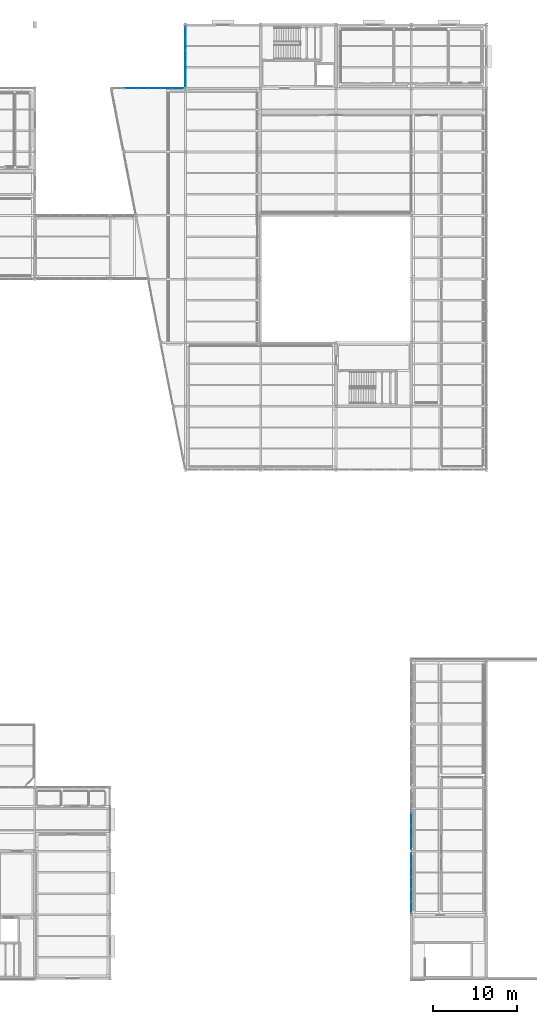
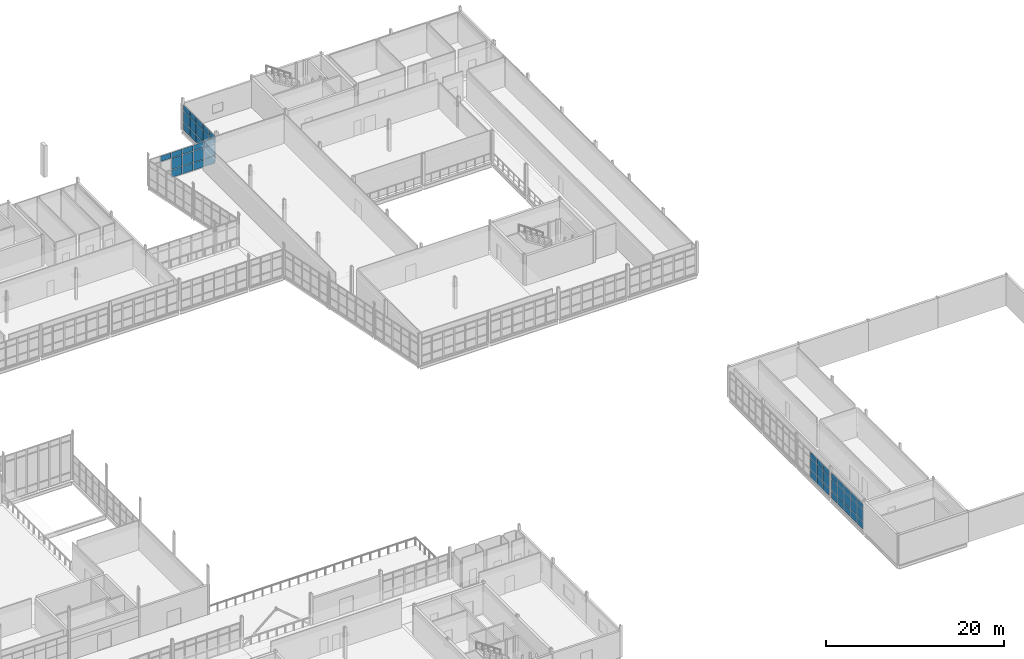
# One storey, part 135 of 166: 52 plates, 4 elements without a shape of their own.
"""IFC4 building model written with IfcOpenShell, lengths in metres."""

from ifc_helpers import new_model, si_unit, direction, frame, origin, origin_2d, place, context, subcontext, project, spatial, rectangle, extrude, material, layer, layer_set, type_object, element, aggregate, save


model = new_model("IFC4")

# Units and contexts
model_context = context("Model", 3, precision=1e-05, world=origin(), true_north=direction((0.0, 1.0)))
body_context = subcontext(model_context, "Body", "Model", "MODEL_VIEW")
ifc_project = project(units=[si_unit("LENGTHUNIT", "METRE"), si_unit("AREAUNIT", "SQUARE_METRE"), si_unit("VOLUMEUNIT", "CUBIC_METRE"), si_unit("PLANEANGLEUNIT", "RADIAN"), si_unit("MASSUNIT", "GRAM", prefix="KILO")], contexts=[model_context])

# Site, building, storey
site_placement = place(None, origin())
site = spatial("IfcSite", under=ifc_project, at=site_placement, CompositionType="ELEMENT")
building_placement = place(site_placement, origin())
building = spatial("IfcBuilding", under=site, at=building_placement, Name="Caisbarro Railhouse Central Library", CompositionType="ELEMENT")
storey_placement = place(building_placement, frame((0.0, 0.0, 9.360107421875)))
storey = spatial("IfcBuildingStorey", under=building, at=storey_placement, Name="L02", CompositionType="ELEMENT", Elevation=9.360107421875)

# Curtain wall, plates
ifc_material_1 = material(Name="Anodised architectural aluminium", Category="aluminium")
curtain_wall_type_1 = type_object("IfcCurtainWallType", Name="CW-CW02", PredefinedType="NOTDEFINED", material=ifc_material_1)
curtain_wall_1_placement = place(storey_placement, origin())
curtain_wall_1 = element("IfcCurtainWall", 1, at=curtain_wall_1_placement, inside=storey, type_object=curtain_wall_type_1, Name="CW02 curtain wall L02 #92", PredefinedType="NOTDEFINED")
ifc_material_2 = material(Name="Double low-e laminated solar-control glass", Category="glass")
ifc_layer = layer(ifc_material_2, 0.0380859375, Name="Double low-e laminated solar-control glass")
ifc_layer_set = layer_set([ifc_layer], Name="Double low-e laminated solar-control glass")
plate_type = type_object("IfcPlateType", Name="CWP-CP38", PredefinedType="CURTAIN_PANEL", material=ifc_layer_set)
plate_1_placement = place(storey_placement, frame((144.0, 8.5068359375, 0.07470703125), z_axis=(0.0, 0.0, 1.0), x_axis=(0.0, 1.0, 0.0)))
plate_1 = element("IfcPlate", 2, at=plate_1_placement, type_object=plate_type, Name="CW02 panel 1.1", PredefinedType="CURTAIN_PANEL", context=body_context, shape_type="SweptSolid", body=[
    extrude(rectangle(XDim=1.343505859375, YDim=0.0380859375, at=origin_2d()), origin(), (0.0, 0.0, 1.0), 1.007568359375),
])
plate_2_placement = place(storey_placement, frame((144.0, 8.5068359375, 1.157470703125), z_axis=(0.0, 0.0, 1.0), x_axis=(0.0, 1.0, 0.0)))
plate_2 = element("IfcPlate", 3, at=plate_2_placement, type_object=plate_type, Name="CW02 panel 1.2", PredefinedType="CURTAIN_PANEL", context=body_context, shape_type="SweptSolid", body=[
    extrude(rectangle(XDim=1.343505859375, YDim=0.0380859375, at=origin_2d()), origin(), (0.0, 0.0, 1.0), 1.544921875),
])
plate_3_placement = place(storey_placement, frame((144.0, 8.5068359375, 2.77734375), z_axis=(0.0, 0.0, 1.0), x_axis=(0.0, 1.0, 0.0)))
plate_3 = element("IfcPlate", 4, at=plate_3_placement, type_object=plate_type, Name="CW02 panel 1.3", PredefinedType="CURTAIN_PANEL", context=body_context, shape_type="SweptSolid", body=[
    extrude(rectangle(XDim=1.343505859375, YDim=0.0380859375, at=origin_2d()), origin(), (0.0, 0.0, 1.0), 0.737548828125),
])
plate_4_placement = place(storey_placement, frame((144.0, 9.944091796875, 0.07470703125), z_axis=(0.0, 0.0, 1.0), x_axis=(0.0, 1.0, 0.0)))
plate_4 = element("IfcPlate", 5, at=plate_4_placement, type_object=plate_type, Name="CW02 panel 2.1", PredefinedType="CURTAIN_PANEL", context=body_context, shape_type="SweptSolid", body=[
    extrude(rectangle(XDim=1.381103515625, YDim=0.0380859375, at=origin_2d()), origin(), (0.0, 0.0, 1.0), 1.007568359375),
])
plate_5_placement = place(storey_placement, frame((144.0, 9.944091796875, 1.157470703125), z_axis=(0.0, 0.0, 1.0), x_axis=(0.0, 1.0, 0.0)))
plate_5 = element("IfcPlate", 6, at=plate_5_placement, type_object=plate_type, Name="CW02 panel 2.2", PredefinedType="CURTAIN_PANEL", context=body_context, shape_type="SweptSolid", body=[
    extrude(rectangle(XDim=1.381103515625, YDim=0.0380859375, at=origin_2d()), origin(), (0.0, 0.0, 1.0), 1.544921875),
])
plate_6_placement = place(storey_placement, frame((144.0, 9.944091796875, 2.77734375), z_axis=(0.0, 0.0, 1.0), x_axis=(0.0, 1.0, 0.0)))
plate_6 = element("IfcPlate", 7, at=plate_6_placement, type_object=plate_type, Name="CW02 panel 2.3", PredefinedType="CURTAIN_PANEL", context=body_context, shape_type="SweptSolid", body=[
    extrude(rectangle(XDim=1.381103515625, YDim=0.0380859375, at=origin_2d()), origin(), (0.0, 0.0, 1.0), 0.737548828125),
])
plate_7_placement = place(storey_placement, frame((144.0, 11.39990234375, 0.07470703125), z_axis=(0.0, 0.0, 1.0), x_axis=(0.0, 1.0, 0.0)))
plate_7 = element("IfcPlate", 8, at=plate_7_placement, type_object=plate_type, Name="CW02 panel 3.1", PredefinedType="CURTAIN_PANEL", context=body_context, shape_type="SweptSolid", body=[
    extrude(rectangle(XDim=1.381103515625, YDim=0.0380859375, at=origin_2d()), origin(), (0.0, 0.0, 1.0), 1.007568359375),
])
plate_8_placement = place(storey_placement, frame((144.0, 11.39990234375, 1.157470703125), z_axis=(0.0, 0.0, 1.0), x_axis=(0.0, 1.0, 0.0)))
plate_8 = element("IfcPlate", 9, at=plate_8_placement, type_object=plate_type, Name="CW02 panel 3.2", PredefinedType="CURTAIN_PANEL", context=body_context, shape_type="SweptSolid", body=[
    extrude(rectangle(XDim=1.381103515625, YDim=0.0380859375, at=origin_2d()), origin(), (0.0, 0.0, 1.0), 1.544921875),
])
plate_9_placement = place(storey_placement, frame((144.0, 11.39990234375, 2.77734375), z_axis=(0.0, 0.0, 1.0), x_axis=(0.0, 1.0, 0.0)))
plate_9 = element("IfcPlate", 10, at=plate_9_placement, type_object=plate_type, Name="CW02 panel 3.3", PredefinedType="CURTAIN_PANEL", context=body_context, shape_type="SweptSolid", body=[
    extrude(rectangle(XDim=1.381103515625, YDim=0.0380859375, at=origin_2d()), origin(), (0.0, 0.0, 1.0), 0.737548828125),
])
plate_10_placement = place(storey_placement, frame((144.0, 12.85595703125, 0.07470703125), z_axis=(0.0, 0.0, 1.0), x_axis=(0.0, 1.0, 0.0)))
plate_10 = element("IfcPlate", 11, at=plate_10_placement, type_object=plate_type, Name="CW02 panel 4.1", PredefinedType="CURTAIN_PANEL", context=body_context, shape_type="SweptSolid", body=[
    extrude(rectangle(XDim=1.381103515625, YDim=0.0380859375, at=origin_2d()), origin(), (0.0, 0.0, 1.0), 1.007568359375),
])
plate_11_placement = place(storey_placement, frame((144.0, 12.85595703125, 1.157470703125), z_axis=(0.0, 0.0, 1.0), x_axis=(0.0, 1.0, 0.0)))
plate_11 = element("IfcPlate", 12, at=plate_11_placement, type_object=plate_type, Name="CW02 panel 4.2", PredefinedType="CURTAIN_PANEL", context=body_context, shape_type="SweptSolid", body=[
    extrude(rectangle(XDim=1.381103515625, YDim=0.0380859375, at=origin_2d()), origin(), (0.0, 0.0, 1.0), 1.544921875),
])
plate_12_placement = place(storey_placement, frame((144.0, 12.85595703125, 2.77734375), z_axis=(0.0, 0.0, 1.0), x_axis=(0.0, 1.0, 0.0)))
plate_12 = element("IfcPlate", 13, at=plate_12_placement, type_object=plate_type, Name="CW02 panel 4.3", PredefinedType="CURTAIN_PANEL", context=body_context, shape_type="SweptSolid", body=[
    extrude(rectangle(XDim=1.381103515625, YDim=0.0380859375, at=origin_2d()), origin(), (0.0, 0.0, 1.0), 0.737548828125),
])
plate_13_placement = place(storey_placement, frame((144.0, 14.293212890625, 0.07470703125), z_axis=(0.0, 0.0, 1.0), x_axis=(0.0, 1.0, 0.0)))
plate_13 = element("IfcPlate", 14, at=plate_13_placement, type_object=plate_type, Name="CW02 panel 5.1", PredefinedType="CURTAIN_PANEL", context=body_context, shape_type="SweptSolid", body=[
    extrude(rectangle(XDim=1.343505859375, YDim=0.0380859375, at=origin_2d()), origin(), (0.0, 0.0, 1.0), 1.007568359375),
])
plate_14_placement = place(storey_placement, frame((144.0, 14.293212890625, 1.157470703125), z_axis=(0.0, 0.0, 1.0), x_axis=(0.0, 1.0, 0.0)))
plate_14 = element("IfcPlate", 15, at=plate_14_placement, type_object=plate_type, Name="CW02 panel 5.2", PredefinedType="CURTAIN_PANEL", context=body_context, shape_type="SweptSolid", body=[
    extrude(rectangle(XDim=1.343505859375, YDim=0.0380859375, at=origin_2d()), origin(), (0.0, 0.0, 1.0), 1.544921875),
])
plate_15_placement = place(storey_placement, frame((144.0, 14.293212890625, 2.77734375), z_axis=(0.0, 0.0, 1.0), x_axis=(0.0, 1.0, 0.0)))
plate_15 = element("IfcPlate", 16, at=plate_15_placement, type_object=plate_type, Name="CW02 panel 5.3", PredefinedType="CURTAIN_PANEL", context=body_context, shape_type="SweptSolid", body=[
    extrude(rectangle(XDim=1.343505859375, YDim=0.0380859375, at=origin_2d()), origin(), (0.0, 0.0, 1.0), 0.737548828125),
])
aggregate(curtain_wall_1, [plate_1, plate_2, plate_3, plate_4, plate_5, plate_6, plate_7, plate_8, plate_9, plate_10, plate_11, plate_12, plate_13, plate_14, plate_15])

curtain_wall_2_placement = place(storey_placement, origin())
curtain_wall_2 = element("IfcCurtainWall", 17, at=curtain_wall_2_placement, inside=storey, type_object=curtain_wall_type_1, Name="CW02 curtain wall L02 #93", PredefinedType="NOTDEFINED")
plate_16_placement = place(storey_placement, frame((144.0, 16.106689453125, 0.07470703125), z_axis=(0.0, 0.0, 1.0), x_axis=(0.0, 1.0, 0.0)))
plate_16 = element("IfcPlate", 18, at=plate_16_placement, type_object=plate_type, Name="CW02 panel 1.1", PredefinedType="CURTAIN_PANEL", context=body_context, shape_type="SweptSolid", body=[
    extrude(rectangle(XDim=1.343505859375, YDim=0.0380859375, at=origin_2d()), origin(), (0.0, 0.0, 1.0), 1.007568359375),
])
plate_17_placement = place(storey_placement, frame((144.0, 16.106689453125, 1.157470703125), z_axis=(0.0, 0.0, 1.0), x_axis=(0.0, 1.0, 0.0)))
plate_17 = element("IfcPlate", 19, at=plate_17_placement, type_object=plate_type, Name="CW02 panel 1.2", PredefinedType="CURTAIN_PANEL", context=body_context, shape_type="SweptSolid", body=[
    extrude(rectangle(XDim=1.343505859375, YDim=0.0380859375, at=origin_2d()), origin(), (0.0, 0.0, 1.0), 1.544921875),
])
plate_18_placement = place(storey_placement, frame((144.0, 16.106689453125, 2.77734375), z_axis=(0.0, 0.0, 1.0), x_axis=(0.0, 1.0, 0.0)))
plate_18 = element("IfcPlate", 20, at=plate_18_placement, type_object=plate_type, Name="CW02 panel 1.3", PredefinedType="CURTAIN_PANEL", context=body_context, shape_type="SweptSolid", body=[
    extrude(rectangle(XDim=1.343505859375, YDim=0.0380859375, at=origin_2d()), origin(), (0.0, 0.0, 1.0), 0.737548828125),
])
plate_19_placement = place(storey_placement, frame((144.0, 17.5439453125, 0.07470703125), z_axis=(0.0, 0.0, 1.0), x_axis=(0.0, 1.0, 0.0)))
plate_19 = element("IfcPlate", 21, at=plate_19_placement, type_object=plate_type, Name="CW02 panel 2.1", PredefinedType="CURTAIN_PANEL", context=body_context, shape_type="SweptSolid", body=[
    extrude(rectangle(XDim=1.381103515625, YDim=0.0380859375, at=origin_2d()), origin(), (0.0, 0.0, 1.0), 1.007568359375),
])
plate_20_placement = place(storey_placement, frame((144.0, 17.5439453125, 1.157470703125), z_axis=(0.0, 0.0, 1.0), x_axis=(0.0, 1.0, 0.0)))
plate_20 = element("IfcPlate", 22, at=plate_20_placement, type_object=plate_type, Name="CW02 panel 2.2", PredefinedType="CURTAIN_PANEL", context=body_context, shape_type="SweptSolid", body=[
    extrude(rectangle(XDim=1.381103515625, YDim=0.0380859375, at=origin_2d()), origin(), (0.0, 0.0, 1.0), 1.544921875),
])
plate_21_placement = place(storey_placement, frame((144.0, 17.5439453125, 2.77734375), z_axis=(0.0, 0.0, 1.0), x_axis=(0.0, 1.0, 0.0)))
plate_21 = element("IfcPlate", 23, at=plate_21_placement, type_object=plate_type, Name="CW02 panel 2.3", PredefinedType="CURTAIN_PANEL", context=body_context, shape_type="SweptSolid", body=[
    extrude(rectangle(XDim=1.381103515625, YDim=0.0380859375, at=origin_2d()), origin(), (0.0, 0.0, 1.0), 0.737548828125),
])
plate_22_placement = place(storey_placement, frame((144.0, 19.0, 0.07470703125), z_axis=(0.0, 0.0, 1.0), x_axis=(0.0, 1.0, 0.0)))
plate_22 = element("IfcPlate", 24, at=plate_22_placement, type_object=plate_type, Name="CW02 panel 3.1", PredefinedType="CURTAIN_PANEL", context=body_context, shape_type="SweptSolid", body=[
    extrude(rectangle(XDim=1.381103515625, YDim=0.0380859375, at=origin_2d()), origin(), (0.0, 0.0, 1.0), 1.007568359375),
])
plate_23_placement = place(storey_placement, frame((144.0, 19.0, 1.157470703125), z_axis=(0.0, 0.0, 1.0), x_axis=(0.0, 1.0, 0.0)))
plate_23 = element("IfcPlate", 25, at=plate_23_placement, type_object=plate_type, Name="CW02 panel 3.2", PredefinedType="CURTAIN_PANEL", context=body_context, shape_type="SweptSolid", body=[
    extrude(rectangle(XDim=1.381103515625, YDim=0.0380859375, at=origin_2d()), origin(), (0.0, 0.0, 1.0), 1.544921875),
])
plate_24_placement = place(storey_placement, frame((144.0, 19.0, 2.77734375), z_axis=(0.0, 0.0, 1.0), x_axis=(0.0, 1.0, 0.0)))
plate_24 = element("IfcPlate", 26, at=plate_24_placement, type_object=plate_type, Name="CW02 panel 3.3", PredefinedType="CURTAIN_PANEL", context=body_context, shape_type="SweptSolid", body=[
    extrude(rectangle(XDim=1.381103515625, YDim=0.0380859375, at=origin_2d()), origin(), (0.0, 0.0, 1.0), 0.737548828125),
])
aggregate(curtain_wall_2, [plate_16, plate_17, plate_18, plate_19, plate_20, plate_21, plate_22, plate_23, plate_24])

curtain_wall_type_2 = type_object("IfcCurtainWallType", Name="CW-CW03", PredefinedType="NOTDEFINED", material=ifc_material_1)
curtain_wall_3_placement = place(storey_placement, origin())
curtain_wall_3 = element("IfcCurtainWall", 27, at=curtain_wall_3_placement, inside=storey, type_object=curtain_wall_type_2, Name="CW03 curtain wall L02 #131", PredefinedType="NOTDEFINED")
plate_25_placement = place(storey_placement, frame((110.431884765625, 106.39990234375, 2.742431640625), z_axis=(0.0, 0.0, 1.0), x_axis=(1.0, 0.0, 0.0)))
plate_25 = element("IfcPlate", 28, at=plate_25_placement, type_object=plate_type, Name="CW03 panel 2.3", PredefinedType="CURTAIN_PANEL", context=body_context, shape_type="SweptSolid", body=[
    extrude(rectangle(XDim=1.35888671875, YDim=0.0380859375, at=origin_2d()), origin(), (0.0, 0.0, 1.0), 0.75244140625),
])
plate_26_placement = place(storey_placement, frame((111.85595703125, 106.39990234375, 0.06494140625), z_axis=(0.0, 0.0, 1.0), x_axis=(1.0, 0.0, 0.0)))
plate_26 = element("IfcPlate", 29, at=plate_26_placement, type_object=plate_type, Name="CW03 panel 3.1", PredefinedType="CURTAIN_PANEL", context=body_context, shape_type="SweptSolid", body=[
    extrude(rectangle(XDim=1.35888671875, YDim=0.0380859375, at=origin_2d()), origin(), (0.0, 0.0, 1.0), 1.0224609375),
])
plate_27_placement = place(storey_placement, frame((111.85595703125, 106.39990234375, 1.15234375), z_axis=(0.0, 0.0, 1.0), x_axis=(1.0, 0.0, 0.0)))
plate_27 = element("IfcPlate", 30, at=plate_27_placement, type_object=plate_type, Name="CW03 panel 3.2", PredefinedType="CURTAIN_PANEL", context=body_context, shape_type="SweptSolid", body=[
    extrude(rectangle(XDim=1.35888671875, YDim=0.0380859375, at=origin_2d()), origin(), (0.0, 0.0, 1.0), 1.52490234375),
])
plate_28_placement = place(storey_placement, frame((111.85595703125, 106.39990234375, 2.742431640625), z_axis=(0.0, 0.0, 1.0), x_axis=(1.0, 0.0, 0.0)))
plate_28 = element("IfcPlate", 31, at=plate_28_placement, type_object=plate_type, Name="CW03 panel 3.3", PredefinedType="CURTAIN_PANEL", context=body_context, shape_type="SweptSolid", body=[
    extrude(rectangle(XDim=1.35888671875, YDim=0.0380859375, at=origin_2d()), origin(), (0.0, 0.0, 1.0), 0.75244140625),
])
plate_29_placement = place(storey_placement, frame((113.280029296875, 106.39990234375, 0.06494140625), z_axis=(0.0, 0.0, 1.0), x_axis=(1.0, 0.0, 0.0)))
plate_29 = element("IfcPlate", 32, at=plate_29_placement, type_object=plate_type, Name="CW03 panel 4.1", PredefinedType="CURTAIN_PANEL", context=body_context, shape_type="SweptSolid", body=[
    extrude(rectangle(XDim=1.35888671875, YDim=0.0380859375, at=origin_2d()), origin(), (0.0, 0.0, 1.0), 1.0224609375),
])
plate_30_placement = place(storey_placement, frame((113.280029296875, 106.39990234375, 1.15234375), z_axis=(0.0, 0.0, 1.0), x_axis=(1.0, 0.0, 0.0)))
plate_30 = element("IfcPlate", 33, at=plate_30_placement, type_object=plate_type, Name="CW03 panel 4.2", PredefinedType="CURTAIN_PANEL", context=body_context, shape_type="SweptSolid", body=[
    extrude(rectangle(XDim=1.35888671875, YDim=0.0380859375, at=origin_2d()), origin(), (0.0, 0.0, 1.0), 1.52490234375),
])
plate_31_placement = place(storey_placement, frame((113.280029296875, 106.39990234375, 2.742431640625), z_axis=(0.0, 0.0, 1.0), x_axis=(1.0, 0.0, 0.0)))
plate_31 = element("IfcPlate", 34, at=plate_31_placement, type_object=plate_type, Name="CW03 panel 4.3", PredefinedType="CURTAIN_PANEL", context=body_context, shape_type="SweptSolid", body=[
    extrude(rectangle(XDim=1.35888671875, YDim=0.0380859375, at=origin_2d()), origin(), (0.0, 0.0, 1.0), 0.75244140625),
])
plate_32_placement = place(storey_placement, frame((114.7041015625, 106.39990234375, 0.06494140625), z_axis=(0.0, 0.0, 1.0), x_axis=(1.0, 0.0, 0.0)))
plate_32 = element("IfcPlate", 35, at=plate_32_placement, type_object=plate_type, Name="CW03 panel 5.1", PredefinedType="CURTAIN_PANEL", context=body_context, shape_type="SweptSolid", body=[
    extrude(rectangle(XDim=1.35888671875, YDim=0.0380859375, at=origin_2d()), origin(), (0.0, 0.0, 1.0), 1.0224609375),
])
plate_33_placement = place(storey_placement, frame((114.7041015625, 106.39990234375, 1.15234375), z_axis=(0.0, 0.0, 1.0), x_axis=(1.0, 0.0, 0.0)))
plate_33 = element("IfcPlate", 36, at=plate_33_placement, type_object=plate_type, Name="CW03 panel 5.2", PredefinedType="CURTAIN_PANEL", context=body_context, shape_type="SweptSolid", body=[
    extrude(rectangle(XDim=1.35888671875, YDim=0.0380859375, at=origin_2d()), origin(), (0.0, 0.0, 1.0), 1.52490234375),
])
plate_34_placement = place(storey_placement, frame((114.7041015625, 106.39990234375, 2.742431640625), z_axis=(0.0, 0.0, 1.0), x_axis=(1.0, 0.0, 0.0)))
plate_34 = element("IfcPlate", 37, at=plate_34_placement, type_object=plate_type, Name="CW03 panel 5.3", PredefinedType="CURTAIN_PANEL", context=body_context, shape_type="SweptSolid", body=[
    extrude(rectangle(XDim=1.35888671875, YDim=0.0380859375, at=origin_2d()), origin(), (0.0, 0.0, 1.0), 0.75244140625),
])
plate_35_placement = place(storey_placement, frame((116.11181640625, 106.39990234375, 0.06494140625), z_axis=(0.0, 0.0, 1.0), x_axis=(1.0, 0.0, 0.0)))
plate_35 = element("IfcPlate", 38, at=plate_35_placement, type_object=plate_type, Name="CW03 panel 6.1", PredefinedType="CURTAIN_PANEL", context=body_context, shape_type="SweptSolid", body=[
    extrude(rectangle(XDim=1.326416015625, YDim=0.0380859375, at=origin_2d()), origin(), (0.0, 0.0, 1.0), 1.0224609375),
])
plate_36_placement = place(storey_placement, frame((116.11181640625, 106.39990234375, 1.15234375), z_axis=(0.0, 0.0, 1.0), x_axis=(1.0, 0.0, 0.0)))
plate_36 = element("IfcPlate", 39, at=plate_36_placement, type_object=plate_type, Name="CW03 panel 6.2", PredefinedType="CURTAIN_PANEL", context=body_context, shape_type="SweptSolid", body=[
    extrude(rectangle(XDim=1.326416015625, YDim=0.0380859375, at=origin_2d()), origin(), (0.0, 0.0, 1.0), 1.52490234375),
])
plate_37_placement = place(storey_placement, frame((116.11181640625, 106.39990234375, 2.742431640625), z_axis=(0.0, 0.0, 1.0), x_axis=(1.0, 0.0, 0.0)))
plate_37 = element("IfcPlate", 40, at=plate_37_placement, type_object=plate_type, Name="CW03 panel 6.3", PredefinedType="CURTAIN_PANEL", context=body_context, shape_type="SweptSolid", body=[
    extrude(rectangle(XDim=1.326416015625, YDim=0.0380859375, at=origin_2d()), origin(), (0.0, 0.0, 1.0), 0.75244140625),
])
aggregate(curtain_wall_3, [plate_25, plate_26, plate_27, plate_28, plate_29, plate_30, plate_31, plate_32, plate_33, plate_34, plate_35, plate_36, plate_37])

curtain_wall_4_placement = place(storey_placement, origin())
curtain_wall_4 = element("IfcCurtainWall", 41, at=curtain_wall_4_placement, inside=storey, type_object=curtain_wall_type_2, Name="CW03 curtain wall L02 #132", PredefinedType="NOTDEFINED")
plate_38_placement = place(storey_placement, frame((117.0, 107.30419921875, 0.06494140625), z_axis=(0.0, 0.0, 1.0), x_axis=(0.0, 1.0, 0.0)))
plate_38 = element("IfcPlate", 42, at=plate_38_placement, type_object=plate_type, Name="CW03 panel 1.1", PredefinedType="CURTAIN_PANEL", context=body_context, shape_type="SweptSolid", body=[
    extrude(rectangle(XDim=1.3583984375, YDim=0.0380859375, at=origin_2d()), origin(), (0.0, 0.0, 1.0), 1.0224609375),
])
plate_39_placement = place(storey_placement, frame((117.0, 107.30419921875, 1.15234375), z_axis=(0.0, 0.0, 1.0), x_axis=(0.0, 1.0, 0.0)))
plate_39 = element("IfcPlate", 43, at=plate_39_placement, type_object=plate_type, Name="CW03 panel 1.2", PredefinedType="CURTAIN_PANEL", context=body_context, shape_type="SweptSolid", body=[
    extrude(rectangle(XDim=1.3583984375, YDim=0.0380859375, at=origin_2d()), origin(), (0.0, 0.0, 1.0), 1.52490234375),
])
plate_40_placement = place(storey_placement, frame((117.0, 107.30419921875, 2.742431640625), z_axis=(0.0, 0.0, 1.0), x_axis=(0.0, 1.0, 0.0)))
plate_40 = element("IfcPlate", 44, at=plate_40_placement, type_object=plate_type, Name="CW03 panel 1.3", PredefinedType="CURTAIN_PANEL", context=body_context, shape_type="SweptSolid", body=[
    extrude(rectangle(XDim=1.3583984375, YDim=0.0380859375, at=origin_2d()), origin(), (0.0, 0.0, 1.0), 0.75244140625),
])
plate_41_placement = place(storey_placement, frame((117.0, 108.743896484375, 0.06494140625), z_axis=(0.0, 0.0, 1.0), x_axis=(0.0, 1.0, 0.0)))
plate_41 = element("IfcPlate", 45, at=plate_41_placement, type_object=plate_type, Name="CW03 panel 2.1", PredefinedType="CURTAIN_PANEL", context=body_context, shape_type="SweptSolid", body=[
    extrude(rectangle(XDim=1.39111328125, YDim=0.0380859375, at=origin_2d()), origin(), (0.0, 0.0, 1.0), 1.0224609375),
])
plate_42_placement = place(storey_placement, frame((117.0, 108.743896484375, 1.15234375), z_axis=(0.0, 0.0, 1.0), x_axis=(0.0, 1.0, 0.0)))
plate_42 = element("IfcPlate", 46, at=plate_42_placement, type_object=plate_type, Name="CW03 panel 2.2", PredefinedType="CURTAIN_PANEL", context=body_context, shape_type="SweptSolid", body=[
    extrude(rectangle(XDim=1.39111328125, YDim=0.0380859375, at=origin_2d()), origin(), (0.0, 0.0, 1.0), 1.52490234375),
])
plate_43_placement = place(storey_placement, frame((117.0, 108.743896484375, 2.742431640625), z_axis=(0.0, 0.0, 1.0), x_axis=(0.0, 1.0, 0.0)))
plate_43 = element("IfcPlate", 47, at=plate_43_placement, type_object=plate_type, Name="CW03 panel 2.3", PredefinedType="CURTAIN_PANEL", context=body_context, shape_type="SweptSolid", body=[
    extrude(rectangle(XDim=1.39111328125, YDim=0.0380859375, at=origin_2d()), origin(), (0.0, 0.0, 1.0), 0.75244140625),
])
plate_44_placement = place(storey_placement, frame((117.0, 110.199951171875, 0.06494140625), z_axis=(0.0, 0.0, 1.0), x_axis=(0.0, 1.0, 0.0)))
plate_44 = element("IfcPlate", 48, at=plate_44_placement, type_object=plate_type, Name="CW03 panel 3.1", PredefinedType="CURTAIN_PANEL", context=body_context, shape_type="SweptSolid", body=[
    extrude(rectangle(XDim=1.39111328125, YDim=0.0380859375, at=origin_2d()), origin(), (0.0, 0.0, 1.0), 1.0224609375),
])
plate_45_placement = place(storey_placement, frame((117.0, 110.199951171875, 1.15234375), z_axis=(0.0, 0.0, 1.0), x_axis=(0.0, 1.0, 0.0)))
plate_45 = element("IfcPlate", 49, at=plate_45_placement, type_object=plate_type, Name="CW03 panel 3.2", PredefinedType="CURTAIN_PANEL", context=body_context, shape_type="SweptSolid", body=[
    extrude(rectangle(XDim=1.39111328125, YDim=0.0380859375, at=origin_2d()), origin(), (0.0, 0.0, 1.0), 1.52490234375),
])
plate_46_placement = place(storey_placement, frame((117.0, 110.199951171875, 2.742431640625), z_axis=(0.0, 0.0, 1.0), x_axis=(0.0, 1.0, 0.0)))
plate_46 = element("IfcPlate", 50, at=plate_46_placement, type_object=plate_type, Name="CW03 panel 3.3", PredefinedType="CURTAIN_PANEL", context=body_context, shape_type="SweptSolid", body=[
    extrude(rectangle(XDim=1.39111328125, YDim=0.0380859375, at=origin_2d()), origin(), (0.0, 0.0, 1.0), 0.75244140625),
])
plate_47_placement = place(storey_placement, frame((117.0, 111.656005859375, 0.06494140625), z_axis=(0.0, 0.0, 1.0), x_axis=(0.0, 1.0, 0.0)))
plate_47 = element("IfcPlate", 51, at=plate_47_placement, type_object=plate_type, Name="CW03 panel 4.1", PredefinedType="CURTAIN_PANEL", context=body_context, shape_type="SweptSolid", body=[
    extrude(rectangle(XDim=1.39111328125, YDim=0.0380859375, at=origin_2d()), origin(), (0.0, 0.0, 1.0), 1.0224609375),
])
plate_48_placement = place(storey_placement, frame((117.0, 111.656005859375, 1.15234375), z_axis=(0.0, 0.0, 1.0), x_axis=(0.0, 1.0, 0.0)))
plate_48 = element("IfcPlate", 52, at=plate_48_placement, type_object=plate_type, Name="CW03 panel 4.2", PredefinedType="CURTAIN_PANEL", context=body_context, shape_type="SweptSolid", body=[
    extrude(rectangle(XDim=1.39111328125, YDim=0.0380859375, at=origin_2d()), origin(), (0.0, 0.0, 1.0), 1.52490234375),
])
plate_49_placement = place(storey_placement, frame((117.0, 111.656005859375, 2.742431640625), z_axis=(0.0, 0.0, 1.0), x_axis=(0.0, 1.0, 0.0)))
plate_49 = element("IfcPlate", 53, at=plate_49_placement, type_object=plate_type, Name="CW03 panel 4.3", PredefinedType="CURTAIN_PANEL", context=body_context, shape_type="SweptSolid", body=[
    extrude(rectangle(XDim=1.39111328125, YDim=0.0380859375, at=origin_2d()), origin(), (0.0, 0.0, 1.0), 0.75244140625),
])
plate_50_placement = place(storey_placement, frame((117.0, 113.095703125, 0.06494140625), z_axis=(0.0, 0.0, 1.0), x_axis=(0.0, 1.0, 0.0)))
plate_50 = element("IfcPlate", 54, at=plate_50_placement, type_object=plate_type, Name="CW03 panel 5.1", PredefinedType="CURTAIN_PANEL", context=body_context, shape_type="SweptSolid", body=[
    extrude(rectangle(XDim=1.3583984375, YDim=0.0380859375, at=origin_2d()), origin(), (0.0, 0.0, 1.0), 1.0224609375),
])
plate_51_placement = place(storey_placement, frame((117.0, 113.095703125, 1.15234375), z_axis=(0.0, 0.0, 1.0), x_axis=(0.0, 1.0, 0.0)))
plate_51 = element("IfcPlate", 55, at=plate_51_placement, type_object=plate_type, Name="CW03 panel 5.2", PredefinedType="CURTAIN_PANEL", context=body_context, shape_type="SweptSolid", body=[
    extrude(rectangle(XDim=1.3583984375, YDim=0.0380859375, at=origin_2d()), origin(), (0.0, 0.0, 1.0), 1.52490234375),
])
plate_52_placement = place(storey_placement, frame((117.0, 113.095703125, 2.742431640625), z_axis=(0.0, 0.0, 1.0), x_axis=(0.0, 1.0, 0.0)))
plate_52 = element("IfcPlate", 56, at=plate_52_placement, type_object=plate_type, Name="CW03 panel 5.3", PredefinedType="CURTAIN_PANEL", context=body_context, shape_type="SweptSolid", body=[
    extrude(rectangle(XDim=1.3583984375, YDim=0.0380859375, at=origin_2d()), origin(), (0.0, 0.0, 1.0), 0.75244140625),
])
aggregate(curtain_wall_4, [plate_38, plate_39, plate_40, plate_41, plate_42, plate_43, plate_44, plate_45, plate_46, plate_47, plate_48, plate_49, plate_50, plate_51, plate_52])

save(model, "model.ifc")
